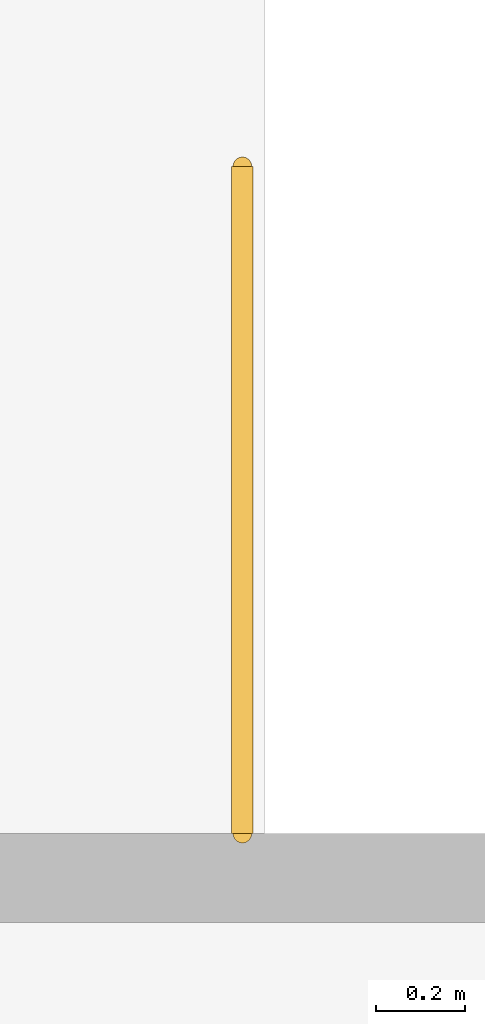
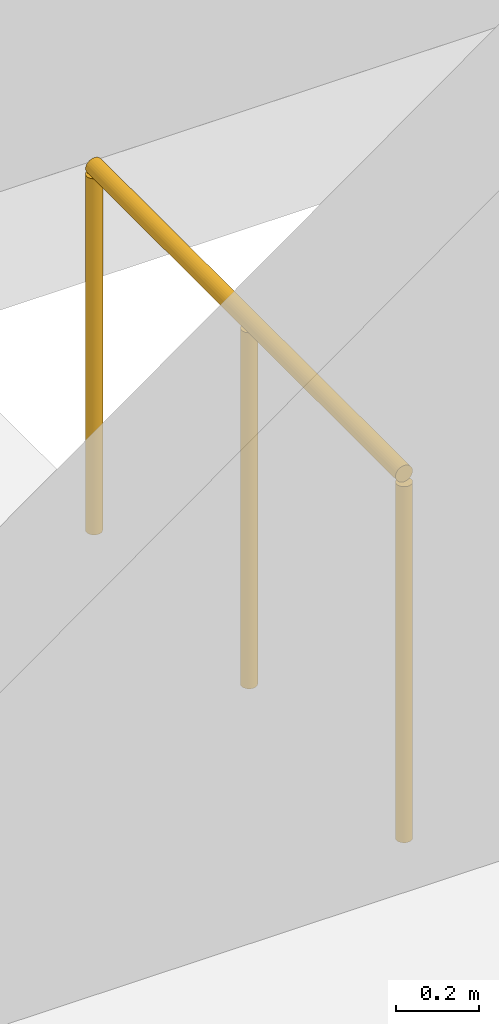
# One storey, part 20 of 25: 1 railing.
"""IFC4 building model written with IfcOpenShell, lengths in metres."""

from ifc_helpers import new_model, si_unit, direction, frame, origin, origin_2d, place, context, subcontext, project, spatial, circle, extrude, material, type_object, element, save


model = new_model("IFC4")

# Units and contexts
model_context = context("Model", 3, precision=1e-05, world=origin(), true_north=direction((0.0, 1.0)))
body_context = subcontext(model_context, "Body", "Model", "MODEL_VIEW")
ifc_project = project(units=[si_unit("LENGTHUNIT", "METRE"), si_unit("AREAUNIT", "SQUARE_METRE"), si_unit("VOLUMEUNIT", "CUBIC_METRE"), si_unit("PLANEANGLEUNIT", "RADIAN"), si_unit("MASSUNIT", "GRAM", prefix="KILO")], contexts=[model_context])

# Site, building, storey
site_placement = place(None, origin())
site = spatial("IfcSite", under=ifc_project, at=site_placement, CompositionType="ELEMENT")
building_placement = place(site_placement, origin())
building = spatial("IfcBuilding", under=site, at=building_placement, Name="Kawkab Arch Medical Tower", CompositionType="ELEMENT")
storey_placement = place(building_placement, frame((0.0, 0.0, 29.0)))
storey = spatial("IfcBuildingStorey", under=building, at=storey_placement, Name="L06", CompositionType="ELEMENT", Elevation=29.0)

# Railing
ifc_material = material(Name="Stainless steel", Category="steel")
railing_type = type_object("IfcRailingType", Name="Stair guard 1100", PredefinedType="GUARDRAIL", material=ifc_material)
railing_placement = place(storey_placement, frame((1.925048828125, -73.64990234375, 0.0)))
element("IfcRailing", 1, at=railing_placement, inside=storey, type_object=railing_type, Name="L06 ST10 top well guard 1", PredefinedType="GUARDRAIL", context=body_context, shape_type="SweptSolid", body=[
    extrude(circle(Radius=0.02392578125, at=origin_2d()), frame((0.0, 0.0, 1.076171875), z_axis=(0.0, 1.0, 0.0), x_axis=(-1.0, 0.0, 0.0)), (0.0, 0.0, 1.0), 1.5),
    extrude(circle(Radius=0.02099609375, at=origin_2d()), origin(), (0.0, 0.0, 1.0), 1.052001953125),
    extrude(circle(Radius=0.02099609375, at=origin_2d()), frame((0.0, 0.75, 0.0)), (0.0, 0.0, 1.0), 1.052001953125),
    extrude(circle(Radius=0.02099609375, at=origin_2d()), frame((0.0, 1.5, 0.0)), (0.0, 0.0, 1.0), 1.052001953125),
])

save(model, "model.ifc")
